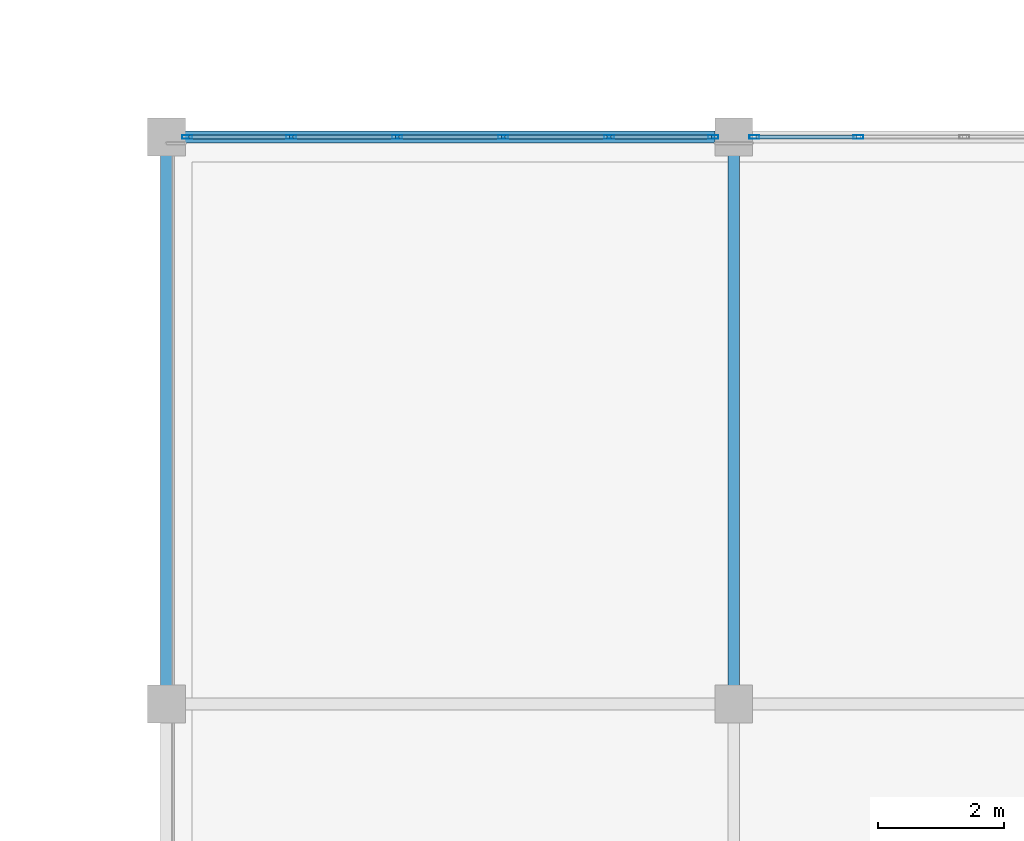
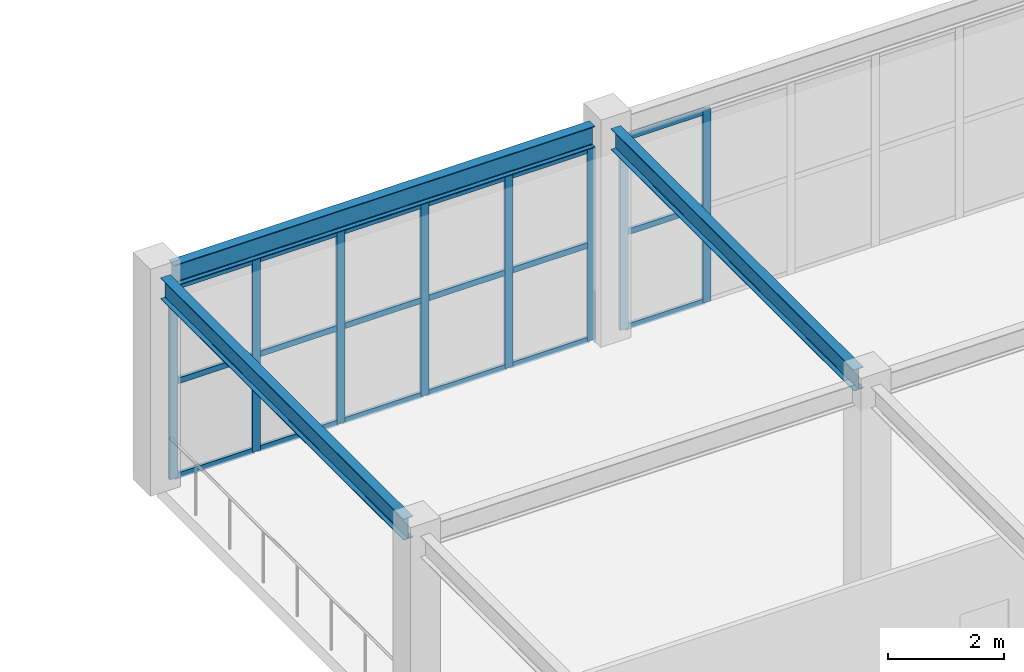
# One storey, part 92 of 167: 26 members, 3 beams, 2 elements without a shape of their own.
"""IFC4 building model written with IfcOpenShell, lengths in metres."""

from ifc_helpers import new_model, si_unit, direction, frame, origin, origin_2d, place, context, subcontext, project, spatial, hollow_rectangle, i_section, extrude, material, layer, layer_set, material_profile, profile_set, type_object, element, aggregate, save


model = new_model("IFC4")

# Units and contexts
model_context = context("Model", 3, precision=1e-05, world=origin(), true_north=direction((0.0, 1.0)))
body_context = subcontext(model_context, "Body", "Model", "MODEL_VIEW")
ifc_project = project(units=[si_unit("LENGTHUNIT", "METRE"), si_unit("AREAUNIT", "SQUARE_METRE"), si_unit("VOLUMEUNIT", "CUBIC_METRE"), si_unit("PLANEANGLEUNIT", "RADIAN"), si_unit("MASSUNIT", "GRAM", prefix="KILO")], contexts=[model_context])

# Site, building, storey
site_placement = place(None, origin())
site = spatial("IfcSite", under=ifc_project, at=site_placement, CompositionType="ELEMENT")
building_placement = place(site_placement, origin())
building = spatial("IfcBuilding", under=site, at=building_placement, Name="Dornveld Trade and Exhibition Forum", CompositionType="ELEMENT")
storey_placement = place(building_placement, frame((0.0, 0.0, 16.800048828125)))
storey = spatial("IfcBuildingStorey", under=building, at=storey_placement, Name="L03", CompositionType="ELEMENT", Elevation=16.800048828125)

# Beams
ifc_material_1 = material(Name="Steel S355J2", Category="steel")
ifc_material_profile_1 = material_profile(ifc_material_1, i_section(OverallWidth=0.18994140625, OverallDepth=0.449951171875, WebThickness=0.009521484375, FlangeThickness=0.0146484375, FilletRadius=0.02099609375, at=origin_2d()), Name="IPE 450")
ifc_profile_set_1 = profile_set([ifc_material_profile_1], Name="Steel S355J2")
beam_type = type_object("IfcBeamType", Name="BM-SEC-450", PredefinedType="BEAM", material=ifc_profile_set_1)
for number, where, z_axis, x_axis, name in (
    (1, (198.2958984375, 54.0, 4.324951171875), (1.0, 0.0, 0.0), (0.0, 1.0, 0.0), "L03 X-girder 1615"),
    (2, (198.0, 45.2958984375, 4.324951171875), (0.0, 1.0, 0.0), (-1.0, 0.0, 0.0), "L03 Y-girder 1622"),
    (3, (207.0, 45.2958984375, 4.324951171875), (0.0, 1.0, 0.0), (-1.0, 0.0, 0.0), "L03 Y-girder 1628"),
):
    element("IfcBeam", number, at=place(storey_placement, frame(where, z_axis=z_axis, x_axis=x_axis)), inside=storey, type_object=beam_type, Name=name, PredefinedType="BEAM", context=body_context, shape_type="SweptSolid", body=[
        extrude(i_section(OverallWidth=0.18994140625, OverallDepth=0.449951171875, WebThickness=0.009521484375, FlangeThickness=0.0146484375, FilletRadius=0.02099609375, at=origin_2d()), origin(), (0.0, 0.0, 1.0), 8.408203125),
    ])

# Curtain wall, members
ifc_material_2 = material(Name="Dark-bronze anodised aluminium and low-E glass", Category="aluminium")
ifc_layer_1 = layer(ifc_material_2, 0.154052734375)
ifc_layer_set_1 = layer_set([ifc_layer_1], Name="Dark-bronze anodised aluminium and low-E glass")
curtain_wall_type_1 = type_object("IfcCurtainWallType", Name="CW-SYS-04", PredefinedType="USERDEFINED", material=ifc_layer_set_1)
curtain_wall_1_placement = place(storey_placement, origin())
curtain_wall_1 = element("IfcCurtainWall", 4, at=curtain_wall_1_placement, inside=storey, type_object=curtain_wall_type_1, Name="L03 unitised curtain wall 94", ObjectType="UNITISED_CURTAIN_WALL", PredefinedType="USERDEFINED")
ifc_material_3 = material(Name="Dark-bronze anodised aluminium", Category="aluminium")
ifc_material_profile_2 = material_profile(ifc_material_3, hollow_rectangle(XDim=0.06005859375, YDim=0.159912109375, WallThickness=0.00390625, at=origin_2d()), Name="RHS 160x60x4")
ifc_profile_set_2 = profile_set([ifc_material_profile_2], Name="Dark-bronze anodised aluminium")
member_type_1 = type_object("IfcMemberType", Name="CW-MUL-160", PredefinedType="MULLION", material=ifc_profile_set_2)
member_1_placement = place(storey_placement, frame((206.674072265625, 54.0, -0.004150390625), z_axis=(0.0, 0.0, 1.0), x_axis=(0.0, -1.0, 0.0)))
member_1 = element("IfcMember", 5, at=member_1_placement, type_object=member_type_1, Name="CW-04 mullion 1", PredefinedType="MULLION", context=body_context, shape_type="SweptSolid", body=[
    extrude(hollow_rectangle(XDim=0.06005859375, YDim=0.159912109375, WallThickness=0.00390625, at=origin_2d()), origin(), (0.0, 0.0, 1.0), 4.064208984375),
])
member_2_placement = place(storey_placement, frame((205.0224609375, 54.0, -0.004150390625), z_axis=(0.0, 0.0, 1.0), x_axis=(0.0, -1.0, 0.0)))
member_2 = element("IfcMember", 6, at=member_2_placement, type_object=member_type_1, Name="CW-04 mullion 2", PredefinedType="MULLION", context=body_context, shape_type="SweptSolid", body=[
    extrude(hollow_rectangle(XDim=0.06005859375, YDim=0.159912109375, WallThickness=0.00390625, at=origin_2d()), origin(), (0.0, 0.0, 1.0), 4.064208984375),
])
member_3_placement = place(storey_placement, frame((203.3408203125, 54.0, -0.004150390625), z_axis=(0.0, 0.0, 1.0), x_axis=(0.0, -1.0, 0.0)))
member_3 = element("IfcMember", 7, at=member_3_placement, type_object=member_type_1, Name="CW-04 mullion 3", PredefinedType="MULLION", context=body_context, shape_type="SweptSolid", body=[
    extrude(hollow_rectangle(XDim=0.06005859375, YDim=0.159912109375, WallThickness=0.00390625, at=origin_2d()), origin(), (0.0, 0.0, 1.0), 4.064208984375),
])
member_4_placement = place(storey_placement, frame((201.6591796875, 54.0, -0.004150390625), z_axis=(0.0, 0.0, 1.0), x_axis=(0.0, -1.0, 0.0)))
member_4 = element("IfcMember", 8, at=member_4_placement, type_object=member_type_1, Name="CW-04 mullion 4", PredefinedType="MULLION", context=body_context, shape_type="SweptSolid", body=[
    extrude(hollow_rectangle(XDim=0.06005859375, YDim=0.159912109375, WallThickness=0.00390625, at=origin_2d()), origin(), (0.0, 0.0, 1.0), 4.064208984375),
])
member_5_placement = place(storey_placement, frame((199.9775390625, 54.0, -0.004150390625), z_axis=(0.0, 0.0, 1.0), x_axis=(0.0, -1.0, 0.0)))
member_5 = element("IfcMember", 9, at=member_5_placement, type_object=member_type_1, Name="CW-04 mullion 5", PredefinedType="MULLION", context=body_context, shape_type="SweptSolid", body=[
    extrude(hollow_rectangle(XDim=0.06005859375, YDim=0.159912109375, WallThickness=0.00390625, at=origin_2d()), origin(), (0.0, 0.0, 1.0), 4.064208984375),
])
member_6_placement = place(storey_placement, frame((198.325927734375, 54.0, -0.004150390625), z_axis=(0.0, 0.0, 1.0), x_axis=(0.0, -1.0, 0.0)))
member_6 = element("IfcMember", 10, at=member_6_placement, type_object=member_type_1, Name="CW-04 mullion 6", PredefinedType="MULLION", context=body_context, shape_type="SweptSolid", body=[
    extrude(hollow_rectangle(XDim=0.06005859375, YDim=0.159912109375, WallThickness=0.00390625, at=origin_2d()), origin(), (0.0, 0.0, 1.0), 4.064208984375),
])

ifc_material_4 = material(Name="Dark-bronze anodised aluminium and low-E glass", Category="aluminium")
ifc_layer_2 = layer(ifc_material_4, 0.156982421875)
ifc_layer_set_2 = layer_set([ifc_layer_2], Name="Dark-bronze anodised aluminium and low-E glass")
curtain_wall_type_2 = type_object("IfcCurtainWallType", Name="CW-SYS-05", PredefinedType="USERDEFINED", material=ifc_layer_set_2)
curtain_wall_2_placement = place(storey_placement, origin())
curtain_wall_2 = element("IfcCurtainWall", 11, at=curtain_wall_2_placement, inside=storey, type_object=curtain_wall_type_2, Name="L03 unitised curtain wall 95", ObjectType="UNITISED_CURTAIN_WALL", PredefinedType="USERDEFINED")
member_7_placement = place(storey_placement, frame((208.9775390625, 54.0, -0.004150390625), z_axis=(0.0, 0.0, 1.0), x_axis=(0.0, -1.0, 0.0)))
member_7 = element("IfcMember", 12, at=member_7_placement, type_object=member_type_1, Name="CW-05 mullion 5", PredefinedType="MULLION", context=body_context, shape_type="SweptSolid", body=[
    extrude(hollow_rectangle(XDim=0.06005859375, YDim=0.159912109375, WallThickness=0.00390625, at=origin_2d()), origin(), (0.0, 0.0, 1.0), 4.064208984375),
])
member_8_placement = place(storey_placement, frame((207.325927734375, 54.0, -0.004150390625), z_axis=(0.0, 0.0, 1.0), x_axis=(0.0, -1.0, 0.0)))
member_8 = element("IfcMember", 13, at=member_8_placement, type_object=member_type_1, Name="CW-05 mullion 6", PredefinedType="MULLION", context=body_context, shape_type="SweptSolid", body=[
    extrude(hollow_rectangle(XDim=0.06005859375, YDim=0.159912109375, WallThickness=0.00390625, at=origin_2d()), origin(), (0.0, 0.0, 1.0), 4.064208984375),
])

# Member
ifc_material_5 = material(Name="Dark-bronze anodised aluminium", Category="aluminium")
ifc_material_profile_3 = material_profile(ifc_material_5, hollow_rectangle(XDim=0.06005859375, YDim=0.1201171875, WallThickness=0.00390625, at=origin_2d()), Name="RHS 120x60x4")
ifc_profile_set_3 = profile_set([ifc_material_profile_3], Name="Dark-bronze anodised aluminium")
member_type_2 = type_object("IfcMemberType", Name="CW-TRN-120", PredefinedType="USERDEFINED", material=ifc_profile_set_3)
member_9_placement = place(storey_placement, frame((206.64404296875, 54.0, 0.02587890625), z_axis=(-1.0, 0.0, 0.0), x_axis=(0.0, -1.0, 0.0)))
member_9 = element("IfcMember", 14, at=member_9_placement, type_object=member_type_2, Name="CW-04 transom 1.1", ObjectType="TRANSOM", PredefinedType="USERDEFINED", context=body_context, shape_type="SweptSolid", body=[
    extrude(hollow_rectangle(XDim=0.06005859375, YDim=0.1201171875, WallThickness=0.00390625, at=origin_2d()), origin(), (0.0, 0.0, 1.0), 1.591552734375),
])

member_10_placement = place(storey_placement, frame((206.64404296875, 54.0, 2.02783203125), z_axis=(-1.0, 0.0, 0.0), x_axis=(0.0, -1.0, 0.0)))
member_10 = element("IfcMember", 15, at=member_10_placement, type_object=member_type_2, Name="CW-04 transom 1.2", ObjectType="TRANSOM", PredefinedType="USERDEFINED", context=body_context, shape_type="SweptSolid", body=[
    extrude(hollow_rectangle(XDim=0.06005859375, YDim=0.1201171875, WallThickness=0.00390625, at=origin_2d()), origin(), (0.0, 0.0, 1.0), 1.591552734375),
])

member_11_placement = place(storey_placement, frame((206.64404296875, 54.0, 4.030029296875), z_axis=(-1.0, 0.0, 0.0), x_axis=(0.0, -1.0, 0.0)))
member_11 = element("IfcMember", 16, at=member_11_placement, type_object=member_type_2, Name="CW-04 transom 1.3", ObjectType="TRANSOM", PredefinedType="USERDEFINED", context=body_context, shape_type="SweptSolid", body=[
    extrude(hollow_rectangle(XDim=0.06005859375, YDim=0.1201171875, WallThickness=0.00390625, at=origin_2d()), origin(), (0.0, 0.0, 1.0), 1.591552734375),
])

member_12_placement = place(storey_placement, frame((204.992431640625, 54.0, 0.02587890625), z_axis=(-1.0, 0.0, 0.0), x_axis=(0.0, -1.0, 0.0)))
member_12 = element("IfcMember", 17, at=member_12_placement, type_object=member_type_2, Name="CW-04 transom 2.1", ObjectType="TRANSOM", PredefinedType="USERDEFINED", context=body_context, shape_type="SweptSolid", body=[
    extrude(hollow_rectangle(XDim=0.06005859375, YDim=0.1201171875, WallThickness=0.00390625, at=origin_2d()), origin(), (0.0, 0.0, 1.0), 1.62158203125),
])

member_13_placement = place(storey_placement, frame((204.992431640625, 54.0, 2.02783203125), z_axis=(-1.0, 0.0, 0.0), x_axis=(0.0, -1.0, 0.0)))
member_13 = element("IfcMember", 18, at=member_13_placement, type_object=member_type_2, Name="CW-04 transom 2.2", ObjectType="TRANSOM", PredefinedType="USERDEFINED", context=body_context, shape_type="SweptSolid", body=[
    extrude(hollow_rectangle(XDim=0.06005859375, YDim=0.1201171875, WallThickness=0.00390625, at=origin_2d()), origin(), (0.0, 0.0, 1.0), 1.62158203125),
])

member_14_placement = place(storey_placement, frame((204.992431640625, 54.0, 4.030029296875), z_axis=(-1.0, 0.0, 0.0), x_axis=(0.0, -1.0, 0.0)))
member_14 = element("IfcMember", 19, at=member_14_placement, type_object=member_type_2, Name="CW-04 transom 2.3", ObjectType="TRANSOM", PredefinedType="USERDEFINED", context=body_context, shape_type="SweptSolid", body=[
    extrude(hollow_rectangle(XDim=0.06005859375, YDim=0.1201171875, WallThickness=0.00390625, at=origin_2d()), origin(), (0.0, 0.0, 1.0), 1.62158203125),
])

member_15_placement = place(storey_placement, frame((203.310791015625, 54.0, 0.02587890625), z_axis=(-1.0, 0.0, 0.0), x_axis=(0.0, -1.0, 0.0)))
member_15 = element("IfcMember", 20, at=member_15_placement, type_object=member_type_2, Name="CW-04 transom 3.1", ObjectType="TRANSOM", PredefinedType="USERDEFINED", context=body_context, shape_type="SweptSolid", body=[
    extrude(hollow_rectangle(XDim=0.06005859375, YDim=0.1201171875, WallThickness=0.00390625, at=origin_2d()), origin(), (0.0, 0.0, 1.0), 1.62158203125),
])

member_16_placement = place(storey_placement, frame((203.310791015625, 54.0, 2.02783203125), z_axis=(-1.0, 0.0, 0.0), x_axis=(0.0, -1.0, 0.0)))
member_16 = element("IfcMember", 21, at=member_16_placement, type_object=member_type_2, Name="CW-04 transom 3.2", ObjectType="TRANSOM", PredefinedType="USERDEFINED", context=body_context, shape_type="SweptSolid", body=[
    extrude(hollow_rectangle(XDim=0.06005859375, YDim=0.1201171875, WallThickness=0.00390625, at=origin_2d()), origin(), (0.0, 0.0, 1.0), 1.62158203125),
])

member_17_placement = place(storey_placement, frame((203.310791015625, 54.0, 4.030029296875), z_axis=(-1.0, 0.0, 0.0), x_axis=(0.0, -1.0, 0.0)))
member_17 = element("IfcMember", 22, at=member_17_placement, type_object=member_type_2, Name="CW-04 transom 3.3", ObjectType="TRANSOM", PredefinedType="USERDEFINED", context=body_context, shape_type="SweptSolid", body=[
    extrude(hollow_rectangle(XDim=0.06005859375, YDim=0.1201171875, WallThickness=0.00390625, at=origin_2d()), origin(), (0.0, 0.0, 1.0), 1.62158203125),
])

member_18_placement = place(storey_placement, frame((201.629150390625, 54.0, 0.02587890625), z_axis=(-1.0, 0.0, 0.0), x_axis=(0.0, -1.0, 0.0)))
member_18 = element("IfcMember", 23, at=member_18_placement, type_object=member_type_2, Name="CW-04 transom 4.1", ObjectType="TRANSOM", PredefinedType="USERDEFINED", context=body_context, shape_type="SweptSolid", body=[
    extrude(hollow_rectangle(XDim=0.06005859375, YDim=0.1201171875, WallThickness=0.00390625, at=origin_2d()), origin(), (0.0, 0.0, 1.0), 1.62158203125),
])

member_19_placement = place(storey_placement, frame((201.629150390625, 54.0, 2.02783203125), z_axis=(-1.0, 0.0, 0.0), x_axis=(0.0, -1.0, 0.0)))
member_19 = element("IfcMember", 24, at=member_19_placement, type_object=member_type_2, Name="CW-04 transom 4.2", ObjectType="TRANSOM", PredefinedType="USERDEFINED", context=body_context, shape_type="SweptSolid", body=[
    extrude(hollow_rectangle(XDim=0.06005859375, YDim=0.1201171875, WallThickness=0.00390625, at=origin_2d()), origin(), (0.0, 0.0, 1.0), 1.62158203125),
])

member_20_placement = place(storey_placement, frame((201.629150390625, 54.0, 4.030029296875), z_axis=(-1.0, 0.0, 0.0), x_axis=(0.0, -1.0, 0.0)))
member_20 = element("IfcMember", 25, at=member_20_placement, type_object=member_type_2, Name="CW-04 transom 4.3", ObjectType="TRANSOM", PredefinedType="USERDEFINED", context=body_context, shape_type="SweptSolid", body=[
    extrude(hollow_rectangle(XDim=0.06005859375, YDim=0.1201171875, WallThickness=0.00390625, at=origin_2d()), origin(), (0.0, 0.0, 1.0), 1.62158203125),
])

member_21_placement = place(storey_placement, frame((199.947509765625, 54.0, 0.02587890625), z_axis=(-1.0, 0.0, 0.0), x_axis=(0.0, -1.0, 0.0)))
member_21 = element("IfcMember", 26, at=member_21_placement, type_object=member_type_2, Name="CW-04 transom 5.1", ObjectType="TRANSOM", PredefinedType="USERDEFINED", context=body_context, shape_type="SweptSolid", body=[
    extrude(hollow_rectangle(XDim=0.06005859375, YDim=0.1201171875, WallThickness=0.00390625, at=origin_2d()), origin(), (0.0, 0.0, 1.0), 1.591552734375),
])

member_22_placement = place(storey_placement, frame((199.947509765625, 54.0, 2.02783203125), z_axis=(-1.0, 0.0, 0.0), x_axis=(0.0, -1.0, 0.0)))
member_22 = element("IfcMember", 27, at=member_22_placement, type_object=member_type_2, Name="CW-04 transom 5.2", ObjectType="TRANSOM", PredefinedType="USERDEFINED", context=body_context, shape_type="SweptSolid", body=[
    extrude(hollow_rectangle(XDim=0.06005859375, YDim=0.1201171875, WallThickness=0.00390625, at=origin_2d()), origin(), (0.0, 0.0, 1.0), 1.591552734375),
])

member_23_placement = place(storey_placement, frame((199.947509765625, 54.0, 4.030029296875), z_axis=(-1.0, 0.0, 0.0), x_axis=(0.0, -1.0, 0.0)))
member_23 = element("IfcMember", 28, at=member_23_placement, type_object=member_type_2, Name="CW-04 transom 5.3", ObjectType="TRANSOM", PredefinedType="USERDEFINED", context=body_context, shape_type="SweptSolid", body=[
    extrude(hollow_rectangle(XDim=0.06005859375, YDim=0.1201171875, WallThickness=0.00390625, at=origin_2d()), origin(), (0.0, 0.0, 1.0), 1.591552734375),
])

aggregate(curtain_wall_1, [member_1, member_2, member_3, member_4, member_5, member_6, member_9, member_10, member_11, member_12, member_13, member_14, member_15, member_16, member_17, member_18, member_19, member_20, member_21, member_22, member_23])

member_24_placement = place(storey_placement, frame((208.947509765625, 54.0, 0.02587890625), z_axis=(-1.0, 0.0, 0.0), x_axis=(0.0, -1.0, 0.0)))
member_24 = element("IfcMember", 29, at=member_24_placement, type_object=member_type_2, Name="CW-05 transom 5.1", ObjectType="TRANSOM", PredefinedType="USERDEFINED", context=body_context, shape_type="SweptSolid", body=[
    extrude(hollow_rectangle(XDim=0.06005859375, YDim=0.1201171875, WallThickness=0.00390625, at=origin_2d()), origin(), (0.0, 0.0, 1.0), 1.591552734375),
])

member_25_placement = place(storey_placement, frame((208.947509765625, 54.0, 2.02783203125), z_axis=(-1.0, 0.0, 0.0), x_axis=(0.0, -1.0, 0.0)))
member_25 = element("IfcMember", 30, at=member_25_placement, type_object=member_type_2, Name="CW-05 transom 5.2", ObjectType="TRANSOM", PredefinedType="USERDEFINED", context=body_context, shape_type="SweptSolid", body=[
    extrude(hollow_rectangle(XDim=0.06005859375, YDim=0.1201171875, WallThickness=0.00390625, at=origin_2d()), origin(), (0.0, 0.0, 1.0), 1.591552734375),
])

member_26_placement = place(storey_placement, frame((208.947509765625, 54.0, 4.030029296875), z_axis=(-1.0, 0.0, 0.0), x_axis=(0.0, -1.0, 0.0)))
member_26 = element("IfcMember", 31, at=member_26_placement, type_object=member_type_2, Name="CW-05 transom 5.3", ObjectType="TRANSOM", PredefinedType="USERDEFINED", context=body_context, shape_type="SweptSolid", body=[
    extrude(hollow_rectangle(XDim=0.06005859375, YDim=0.1201171875, WallThickness=0.00390625, at=origin_2d()), origin(), (0.0, 0.0, 1.0), 1.591552734375),
])

aggregate(curtain_wall_2, [member_7, member_8, member_24, member_25, member_26])

save(model, "model.ifc")
